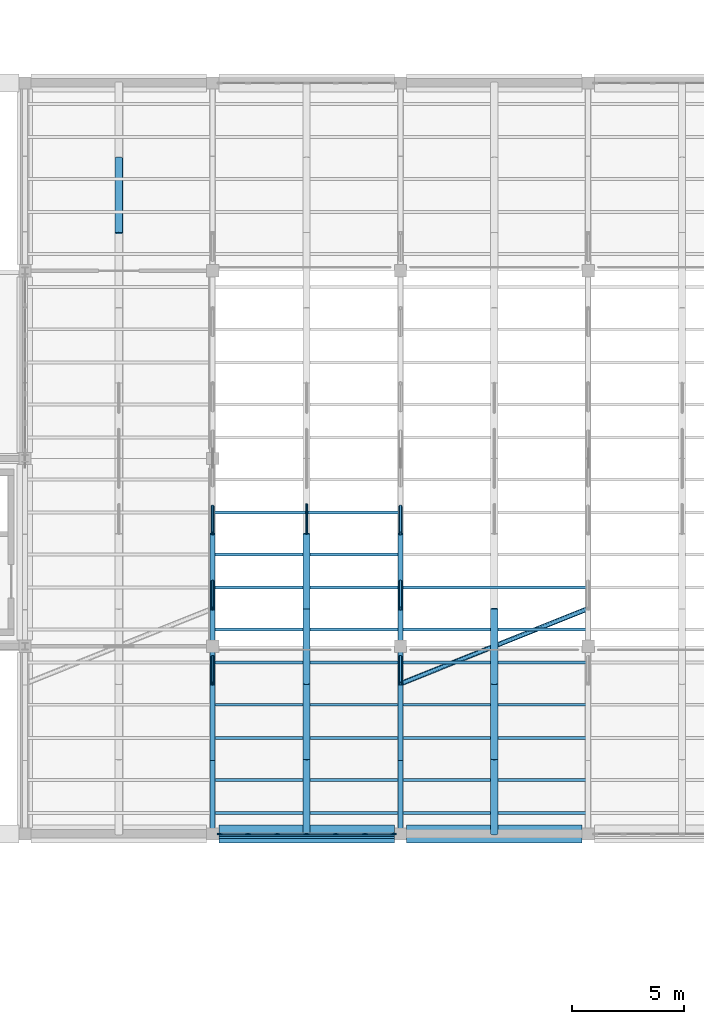
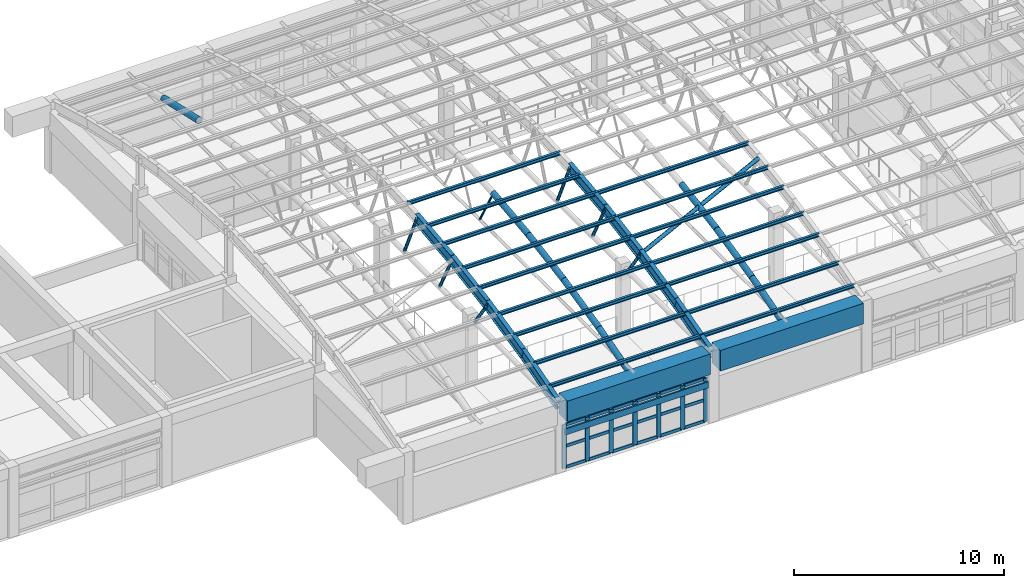
# One storey, part 17 of 74: 58 members, 10 beams, 1 element without a shape of its own.
"""IFC4 building model written with IfcOpenShell, lengths in metres."""

from ifc_helpers import new_model, si_unit, direction, frame, origin, origin_2d, place, context, subcontext, project, spatial, rectangle, hollow_circle, i_section, extrude, material, layer, layer_set, material_profile, profile_set, type_object, element, aggregate, save


model = new_model("IFC4")

# Units and contexts
model_context = context("Model", 3, precision=1e-05, world=origin(), true_north=direction((0.0, 1.0)))
body_context = subcontext(model_context, "Body", "Model", "MODEL_VIEW")
ifc_project = project(units=[si_unit("LENGTHUNIT", "METRE"), si_unit("AREAUNIT", "SQUARE_METRE"), si_unit("VOLUMEUNIT", "CUBIC_METRE"), si_unit("PLANEANGLEUNIT", "RADIAN"), si_unit("MASSUNIT", "GRAM", prefix="KILO")], contexts=[model_context])

# Site, building, storey
site_placement = place(None, origin())
site = spatial("IfcSite", under=ifc_project, at=site_placement, CompositionType="ELEMENT")
building_placement = place(site_placement, origin())
building = spatial("IfcBuilding", under=site, at=building_placement, Name="Porcellanite Civic Hall", CompositionType="ELEMENT")
storey_placement = place(building_placement, frame((0.0, 0.0, 14.760009765625)))
storey = spatial("IfcBuildingStorey", under=building, at=storey_placement, Name="L03", CompositionType="ELEMENT", Elevation=14.760009765625)

# Members
ifc_material_1 = material(Name="Steel C350L0", Category="steel")
ifc_material_profile_1 = material_profile(ifc_material_1, hollow_circle(Radius=0.161865234375, WallThickness=0.010009765625, at=origin_2d()), Name="323.9x10.0CHS")
ifc_profile_set_1 = profile_set([ifc_material_profile_1], Name="Steel C350L0")
member_type_1 = type_object("IfcMemberType", Name="ARCH-324CHS", PredefinedType="RAFTER", material=ifc_profile_set_1)
member_1_placement = place(storey_placement, frame((79.800048828125, 42.0, 3.741455078125), z_axis=(0.0, 0.961252012167, 0.275671124902), x_axis=(-1.0, 0.0, 0.0)))
element("IfcMember", 1, at=member_1_placement, inside=storey, type_object=member_type_1, Name="Chamber secondary arch segment 9 1", PredefinedType="RAFTER", context=body_context, shape_type="SweptSolid", body=[
    extrude(hollow_circle(Radius=0.161865234375, WallThickness=0.010009765625, at=origin_2d()), origin(), (0.0, 0.0, 1.0), 3.49560546875),
])
member_2_placement = place(storey_placement, frame((79.800048828125, 45.360107421875, 4.711669921875), z_axis=(0.0, 0.975143991334, 0.221572101504), x_axis=(-1.0, 0.0, 0.0)))
element("IfcMember", 2, at=member_2_placement, inside=storey, type_object=member_type_1, Name="Chamber secondary arch segment 9 2", PredefinedType="RAFTER", context=body_context, shape_type="SweptSolid", body=[
    extrude(hollow_circle(Radius=0.161865234375, WallThickness=0.010009765625, at=origin_2d()), origin(), (0.0, 0.0, 1.0), 3.445556640625),
])
member_3_placement = place(storey_placement, frame((79.800048828125, 48.719970703125, 5.48095703125), z_axis=(0.0, 0.985994119278, 0.166780084987), x_axis=(-1.0, 0.0, 0.0)))
element("IfcMember", 3, at=member_3_placement, inside=storey, type_object=member_type_1, Name="Chamber secondary arch segment 9 3", PredefinedType="RAFTER", context=body_context, shape_type="SweptSolid", body=[
    extrude(hollow_circle(Radius=0.161865234375, WallThickness=0.010009765625, at=origin_2d()), origin(), (0.0, 0.0, 1.0), 3.407958984375),
])
member_4_placement = place(storey_placement, frame((79.800048828125, 52.080078125, 6.054443359375), z_axis=(0.0, 0.993765164221, 0.111493490304), x_axis=(-1.0, 0.0, 0.0)))
element("IfcMember", 4, at=member_4_placement, inside=storey, type_object=member_type_1, Name="Chamber secondary arch segment 9 4", PredefinedType="RAFTER", context=body_context, shape_type="SweptSolid", body=[
    extrude(hollow_circle(Radius=0.161865234375, WallThickness=0.010009765625, at=origin_2d()), origin(), (0.0, 0.0, 1.0), 3.380859375),
])
member_5_placement = place(storey_placement, frame((88.199951171875, 42.0, 3.741455078125), z_axis=(0.0, 0.961252012167, 0.275671124902), x_axis=(-1.0, 0.0, 0.0)))
element("IfcMember", 5, at=member_5_placement, inside=storey, type_object=member_type_1, Name="Chamber secondary arch segment 10 1", PredefinedType="RAFTER", context=body_context, shape_type="SweptSolid", body=[
    extrude(hollow_circle(Radius=0.161865234375, WallThickness=0.010009765625, at=origin_2d()), origin(), (0.0, 0.0, 1.0), 3.49560546875),
])
member_6_placement = place(storey_placement, frame((88.199951171875, 45.360107421875, 4.711669921875), z_axis=(0.0, 0.975143991334, 0.221572101504), x_axis=(-1.0, 0.0, 0.0)))
element("IfcMember", 6, at=member_6_placement, inside=storey, type_object=member_type_1, Name="Chamber secondary arch segment 10 2", PredefinedType="RAFTER", context=body_context, shape_type="SweptSolid", body=[
    extrude(hollow_circle(Radius=0.161865234375, WallThickness=0.010009765625, at=origin_2d()), origin(), (0.0, 0.0, 1.0), 3.445556640625),
])
member_7_placement = place(storey_placement, frame((88.199951171875, 48.719970703125, 5.48095703125), z_axis=(0.0, 0.985994119278, 0.166780084987), x_axis=(-1.0, 0.0, 0.0)))
element("IfcMember", 7, at=member_7_placement, inside=storey, type_object=member_type_1, Name="Chamber secondary arch segment 10 3", PredefinedType="RAFTER", context=body_context, shape_type="SweptSolid", body=[
    extrude(hollow_circle(Radius=0.161865234375, WallThickness=0.010009765625, at=origin_2d()), origin(), (0.0, 0.0, 1.0), 3.407958984375),
])
ifc_material_2 = material(Name="Steel C350L0", Category="steel")
ifc_material_profile_2 = material_profile(ifc_material_2, hollow_circle(Radius=0.177734375, WallThickness=0.0126953125, at=origin_2d()), Name="355.6x12.7CHS")
ifc_profile_set_2 = profile_set([ifc_material_profile_2], Name="Steel C350L0")
member_type_2 = type_object("IfcMemberType", Name="ARCH-355CHS", PredefinedType="RAFTER", material=ifc_profile_set_2)
member_8_placement = place(storey_placement, frame((71.39990234375, 68.8798828125, 5.459228515625), z_axis=(0.0, 0.975147469677, -0.221556792682), x_axis=(-1.0, 0.0, 0.0)))
element("IfcMember", 8, at=member_8_placement, inside=storey, type_object=member_type_2, Name="Chamber secondary arch segment 8 9", PredefinedType="RAFTER", context=body_context, shape_type="SweptSolid", body=[
    extrude(hollow_circle(Radius=0.177734375, WallThickness=0.0126953125, at=origin_2d()), origin(), (0.0, 0.0, 1.0), 3.44580078125),
])
ifc_material_3 = material(Name="Steel C350L0", Category="steel")
ifc_material_profile_3 = material_profile(ifc_material_3, hollow_circle(Radius=0.05712890625, WallThickness=0.006103515625, at=origin_2d()), Name="114.3x6.0CHS")
ifc_profile_set_3 = profile_set([ifc_material_profile_3], Name="Steel C350L0")
member_type_3 = type_object("IfcMemberType", Name="BRC-114CHS", PredefinedType="BRACE", material=ifc_profile_set_3)
member_9_placement = place(storey_placement, frame((79.800048828125, 56.739990234375, 4.11474609375), z_axis=(0.0, -0.488170615149, 0.872748217131), x_axis=(1.0, 0.0, 0.0)))
element("IfcMember", 9, at=member_9_placement, inside=storey, type_object=member_type_3, Name="Chamber secondary arch web 9-1", PredefinedType="BRACE", context=body_context, shape_type="SweptSolid", body=[
    extrude(hollow_circle(Radius=0.05712890625, WallThickness=0.006103515625, at=origin_2d()), origin(), (0.0, 0.0, 1.0), 2.6630859375),
])
ifc_material_4 = material(Name="Steel C350L0", Category="steel")
ifc_material_profile_4 = material_profile(ifc_material_4, hollow_circle(Radius=0.084228515625, WallThickness=0.007080078125, at=origin_2d()), Name="168.3x7.1CHS")
ifc_profile_set_4 = profile_set([ifc_material_profile_4], Name="Steel C350L0")
member_type_4 = type_object("IfcMemberType", Name="BRC-168CHS", PredefinedType="BRACE", material=ifc_profile_set_4)
member_10_placement = place(storey_placement, frame((75.60009765625, 49.919921875, 3.787841796875), z_axis=(0.0, -0.570645999694, 0.821196165988), x_axis=(1.0, 0.0, 0.0)))
element("IfcMember", 10, at=member_10_placement, inside=storey, type_object=member_type_4, Name="Chamber arch web 9-1", PredefinedType="BRACE", context=body_context, shape_type="SweptSolid", body=[
    extrude(hollow_circle(Radius=0.084228515625, WallThickness=0.007080078125, at=origin_2d()), origin(), (0.0, 0.0, 1.0), 2.102783203125),
])
member_11_placement = place(storey_placement, frame((75.60009765625, 53.280029296875, 3.787841796875), z_axis=(0.0, -0.463316465702, 0.886192898081), x_axis=(1.0, 0.0, 0.0)))
element("IfcMember", 11, at=member_11_placement, inside=storey, type_object=member_type_4, Name="Chamber arch web 9-2", PredefinedType="BRACE", context=body_context, shape_type="SweptSolid", body=[
    extrude(hollow_circle(Radius=0.084228515625, WallThickness=0.007080078125, at=origin_2d()), origin(), (0.0, 0.0, 1.0), 2.58984375),
])
member_12_placement = place(storey_placement, frame((75.60009765625, 56.639892578125, 3.787841796875), z_axis=(0.0, -0.409654104348, 0.912240930232), x_axis=(1.0, 0.0, 0.0)))
element("IfcMember", 12, at=member_12_placement, inside=storey, type_object=member_type_4, Name="Chamber arch web 9-3", PredefinedType="BRACE", context=body_context, shape_type="SweptSolid", body=[
    extrude(hollow_circle(Radius=0.084228515625, WallThickness=0.007080078125, at=origin_2d()), origin(), (0.0, 0.0, 1.0), 2.92919921875),
])
member_13_placement = place(storey_placement, frame((84.0, 49.919921875, 3.787841796875), z_axis=(0.0, -0.570645999694, 0.821196165988), x_axis=(1.0, 0.0, 0.0)))
element("IfcMember", 13, at=member_13_placement, inside=storey, type_object=member_type_4, Name="Chamber arch web 10-1", PredefinedType="BRACE", context=body_context, shape_type="SweptSolid", body=[
    extrude(hollow_circle(Radius=0.084228515625, WallThickness=0.007080078125, at=origin_2d()), origin(), (0.0, 0.0, 1.0), 2.102783203125),
])
member_14_placement = place(storey_placement, frame((84.0, 53.280029296875, 3.787841796875), z_axis=(0.0, -0.463316465702, 0.886192898081), x_axis=(1.0, 0.0, 0.0)))
element("IfcMember", 14, at=member_14_placement, inside=storey, type_object=member_type_4, Name="Chamber arch web 10-2", PredefinedType="BRACE", context=body_context, shape_type="SweptSolid", body=[
    extrude(hollow_circle(Radius=0.084228515625, WallThickness=0.007080078125, at=origin_2d()), origin(), (0.0, 0.0, 1.0), 2.58984375),
])
member_15_placement = place(storey_placement, frame((84.0, 56.639892578125, 3.787841796875), z_axis=(0.0, -0.409654104348, 0.912240930232), x_axis=(1.0, 0.0, 0.0)))
element("IfcMember", 15, at=member_15_placement, inside=storey, type_object=member_type_4, Name="Chamber arch web 10-3", PredefinedType="BRACE", context=body_context, shape_type="SweptSolid", body=[
    extrude(hollow_circle(Radius=0.084228515625, WallThickness=0.007080078125, at=origin_2d()), origin(), (0.0, 0.0, 1.0), 2.92919921875),
])
ifc_material_5 = material(Name="Steel C350L0", Category="steel")
ifc_material_profile_5 = material_profile(ifc_material_5, hollow_circle(Radius=0.109619140625, WallThickness=0.00830078125, at=origin_2d()), Name="219.1x8.2CHS")
ifc_profile_set_5 = profile_set([ifc_material_profile_5], Name="Steel C350L0")
member_type_5 = type_object("IfcMemberType", Name="BRC-219CHS", PredefinedType="BRACE", material=ifc_profile_set_5)
member_16_placement = place(storey_placement, frame((84.007080078125, 48.719970703125, 5.5146484375), z_axis=(0.926426885078, 0.371201875436, 0.062788488412), x_axis=(-0.371935758166, 0.928258472516, 0.0)))
element("IfcMember", 16, at=member_16_placement, inside=storey, type_object=member_type_5, Name="Chamber shell wind brace 10", PredefinedType="BRACE", context=body_context, shape_type="SweptSolid", body=[
    extrude(hollow_circle(Radius=0.109619140625, WallThickness=0.00830078125, at=origin_2d()), origin(), (0.0, 0.0, 1.0), 9.052001953125),
])

# Curtain wall, members
ifc_material_6 = material(Name="Anodised aluminium and solar laminated glass", Category="aluminium")
ifc_layer = layer(ifc_material_6, 0.179931640625)
ifc_layer_set = layer_set([ifc_layer], Name="Anodised aluminium and solar laminated glass")
curtain_wall_type = type_object("IfcCurtainWallType", Name="CW-SYS01", PredefinedType="NOTDEFINED", material=ifc_layer_set)
curtain_wall_placement = place(storey_placement, origin())
curtain_wall = element("IfcCurtainWall", 17, at=curtain_wall_placement, inside=storey, type_object=curtain_wall_type, Name="Curtain wall CW-207", PredefinedType="NOTDEFINED")
ifc_material_7 = material(Name="Anodised aluminium 6063-T6", Category="aluminium")
ifc_material_profile_6 = material_profile(ifc_material_7, rectangle(XDim=0.080078125, YDim=0.239990234375, at=origin_2d()), Name="AL-80x240")
ifc_profile_set_6 = profile_set([ifc_material_profile_6], Name="Anodised aluminium 6063-T6")
member_type_6 = type_object("IfcMemberType", Name="CWM-01", PredefinedType="MULLION", material=ifc_profile_set_6)
member_17_placement = place(storey_placement, frame((83.68408203125, 42.0, 0.0), z_axis=(0.0, 0.0, 1.0), x_axis=(0.0, -1.0, 0.0)))
member_17 = element("IfcMember", 18, at=member_17_placement, type_object=member_type_6, Name="CW-207 mullion 1", PredefinedType="MULLION", context=body_context, shape_type="SweptSolid", body=[
    extrude(rectangle(XDim=0.080078125, YDim=0.239990234375, at=origin_2d()), origin(), (0.0, 0.0, 1.0), 2.52001953125),
])
member_18_placement = place(storey_placement, frame((82.416015625, 42.0, 0.0), z_axis=(0.0, 0.0, 1.0), x_axis=(0.0, -1.0, 0.0)))
member_18 = element("IfcMember", 19, at=member_18_placement, type_object=member_type_6, Name="CW-207 mullion 2", PredefinedType="MULLION", context=body_context, shape_type="SweptSolid", body=[
    extrude(rectangle(XDim=0.080078125, YDim=0.239990234375, at=origin_2d()), origin(), (0.0, 0.0, 1.0), 2.52001953125),
])
member_19_placement = place(storey_placement, frame((81.10791015625, 42.0, 0.0), z_axis=(0.0, 0.0, 1.0), x_axis=(0.0, -1.0, 0.0)))
member_19 = element("IfcMember", 20, at=member_19_placement, type_object=member_type_6, Name="CW-207 mullion 3", PredefinedType="MULLION", context=body_context, shape_type="SweptSolid", body=[
    extrude(rectangle(XDim=0.080078125, YDim=0.239990234375, at=origin_2d()), origin(), (0.0, 0.0, 1.0), 2.52001953125),
])
member_20_placement = place(storey_placement, frame((79.800048828125, 42.0, 0.0), z_axis=(0.0, 0.0, 1.0), x_axis=(0.0, -1.0, 0.0)))
member_20 = element("IfcMember", 21, at=member_20_placement, type_object=member_type_6, Name="CW-207 mullion 4", PredefinedType="MULLION", context=body_context, shape_type="SweptSolid", body=[
    extrude(rectangle(XDim=0.080078125, YDim=0.239990234375, at=origin_2d()), origin(), (0.0, 0.0, 1.0), 2.52001953125),
])
member_21_placement = place(storey_placement, frame((78.491943359375, 42.0, 0.0), z_axis=(0.0, 0.0, 1.0), x_axis=(0.0, -1.0, 0.0)))
member_21 = element("IfcMember", 22, at=member_21_placement, type_object=member_type_6, Name="CW-207 mullion 5", PredefinedType="MULLION", context=body_context, shape_type="SweptSolid", body=[
    extrude(rectangle(XDim=0.080078125, YDim=0.239990234375, at=origin_2d()), origin(), (0.0, 0.0, 1.0), 2.52001953125),
])
member_22_placement = place(storey_placement, frame((77.18408203125, 42.0, 0.0), z_axis=(0.0, 0.0, 1.0), x_axis=(0.0, -1.0, 0.0)))
member_22 = element("IfcMember", 23, at=member_22_placement, type_object=member_type_6, Name="CW-207 mullion 6", PredefinedType="MULLION", context=body_context, shape_type="SweptSolid", body=[
    extrude(rectangle(XDim=0.080078125, YDim=0.239990234375, at=origin_2d()), origin(), (0.0, 0.0, 1.0), 2.52001953125),
])
member_23_placement = place(storey_placement, frame((75.916015625, 42.0, 0.0), z_axis=(0.0, 0.0, 1.0), x_axis=(0.0, -1.0, 0.0)))
member_23 = element("IfcMember", 24, at=member_23_placement, type_object=member_type_6, Name="CW-207 mullion 7", PredefinedType="MULLION", context=body_context, shape_type="SweptSolid", body=[
    extrude(rectangle(XDim=0.080078125, YDim=0.239990234375, at=origin_2d()), origin(), (0.0, 0.0, 1.0), 2.52001953125),
])
ifc_material_8 = material(Name="Anodised aluminium 6063-T6", Category="aluminium")
ifc_material_profile_7 = material_profile(ifc_material_8, rectangle(XDim=0.070068359375, YDim=0.175048828125, at=origin_2d()), Name="AL-70x175")
ifc_profile_set_7 = profile_set([ifc_material_profile_7], Name="Anodised aluminium 6063-T6")
member_type_7 = type_object("IfcMemberType", Name="CWT-01", PredefinedType="USERDEFINED", material=ifc_profile_set_7)
member_24_placement = place(storey_placement, frame((83.64404296875, 42.0, 0.034912109375), z_axis=(-1.0, 0.0, 0.0), x_axis=(0.0, -1.0, 0.0)))
member_24 = element("IfcMember", 25, at=member_24_placement, type_object=member_type_7, Name="CW-207 transom 1.1", ObjectType="TRANSOM", PredefinedType="USERDEFINED", context=body_context, shape_type="SweptSolid", body=[
    extrude(rectangle(XDim=0.070068359375, YDim=0.175048828125, at=origin_2d()), origin(), (0.0, 0.0, 1.0), 1.18798828125),
])
member_25_placement = place(storey_placement, frame((83.64404296875, 42.0, 1.260009765625), z_axis=(-1.0, 0.0, 0.0), x_axis=(0.0, -1.0, 0.0)))
member_25 = element("IfcMember", 26, at=member_25_placement, type_object=member_type_7, Name="CW-207 transom 1.2", ObjectType="TRANSOM", PredefinedType="USERDEFINED", context=body_context, shape_type="SweptSolid", body=[
    extrude(rectangle(XDim=0.070068359375, YDim=0.175048828125, at=origin_2d()), origin(), (0.0, 0.0, 1.0), 1.18798828125),
])
member_26_placement = place(storey_placement, frame((83.64404296875, 42.0, 2.485107421875), z_axis=(-1.0, 0.0, 0.0), x_axis=(0.0, -1.0, 0.0)))
member_26 = element("IfcMember", 27, at=member_26_placement, type_object=member_type_7, Name="CW-207 transom 1.3", ObjectType="TRANSOM", PredefinedType="USERDEFINED", context=body_context, shape_type="SweptSolid", body=[
    extrude(rectangle(XDim=0.070068359375, YDim=0.175048828125, at=origin_2d()), origin(), (0.0, 0.0, 1.0), 1.18798828125),
])
member_27_placement = place(storey_placement, frame((82.3759765625, 42.0, 0.034912109375), z_axis=(-1.0, 0.0, 0.0), x_axis=(0.0, -1.0, 0.0)))
member_27 = element("IfcMember", 28, at=member_27_placement, type_object=member_type_7, Name="CW-207 transom 2.1", ObjectType="TRANSOM", PredefinedType="USERDEFINED", context=body_context, shape_type="SweptSolid", body=[
    extrude(rectangle(XDim=0.070068359375, YDim=0.175048828125, at=origin_2d()), origin(), (0.0, 0.0, 1.0), 1.22802734375),
])
member_28_placement = place(storey_placement, frame((82.3759765625, 42.0, 1.260009765625), z_axis=(-1.0, 0.0, 0.0), x_axis=(0.0, -1.0, 0.0)))
member_28 = element("IfcMember", 29, at=member_28_placement, type_object=member_type_7, Name="CW-207 transom 2.2", ObjectType="TRANSOM", PredefinedType="USERDEFINED", context=body_context, shape_type="SweptSolid", body=[
    extrude(rectangle(XDim=0.070068359375, YDim=0.175048828125, at=origin_2d()), origin(), (0.0, 0.0, 1.0), 1.22802734375),
])
member_29_placement = place(storey_placement, frame((82.3759765625, 42.0, 2.485107421875), z_axis=(-1.0, 0.0, 0.0), x_axis=(0.0, -1.0, 0.0)))
member_29 = element("IfcMember", 30, at=member_29_placement, type_object=member_type_7, Name="CW-207 transom 2.3", ObjectType="TRANSOM", PredefinedType="USERDEFINED", context=body_context, shape_type="SweptSolid", body=[
    extrude(rectangle(XDim=0.070068359375, YDim=0.175048828125, at=origin_2d()), origin(), (0.0, 0.0, 1.0), 1.22802734375),
])
member_30_placement = place(storey_placement, frame((81.068115234375, 42.0, 0.034912109375), z_axis=(-1.0, 0.0, 0.0), x_axis=(0.0, -1.0, 0.0)))
member_30 = element("IfcMember", 31, at=member_30_placement, type_object=member_type_7, Name="CW-207 transom 3.1", ObjectType="TRANSOM", PredefinedType="USERDEFINED", context=body_context, shape_type="SweptSolid", body=[
    extrude(rectangle(XDim=0.070068359375, YDim=0.175048828125, at=origin_2d()), origin(), (0.0, 0.0, 1.0), 1.22802734375),
])
member_31_placement = place(storey_placement, frame((81.068115234375, 42.0, 1.260009765625), z_axis=(-1.0, 0.0, 0.0), x_axis=(0.0, -1.0, 0.0)))
member_31 = element("IfcMember", 32, at=member_31_placement, type_object=member_type_7, Name="CW-207 transom 3.2", ObjectType="TRANSOM", PredefinedType="USERDEFINED", context=body_context, shape_type="SweptSolid", body=[
    extrude(rectangle(XDim=0.070068359375, YDim=0.175048828125, at=origin_2d()), origin(), (0.0, 0.0, 1.0), 1.22802734375),
])
member_32_placement = place(storey_placement, frame((81.068115234375, 42.0, 2.485107421875), z_axis=(-1.0, 0.0, 0.0), x_axis=(0.0, -1.0, 0.0)))
member_32 = element("IfcMember", 33, at=member_32_placement, type_object=member_type_7, Name="CW-207 transom 3.3", ObjectType="TRANSOM", PredefinedType="USERDEFINED", context=body_context, shape_type="SweptSolid", body=[
    extrude(rectangle(XDim=0.070068359375, YDim=0.175048828125, at=origin_2d()), origin(), (0.0, 0.0, 1.0), 1.22802734375),
])
member_33_placement = place(storey_placement, frame((79.760009765625, 42.0, 0.034912109375), z_axis=(-1.0, 0.0, 0.0), x_axis=(0.0, -1.0, 0.0)))
member_33 = element("IfcMember", 34, at=member_33_placement, type_object=member_type_7, Name="CW-207 transom 4.1", ObjectType="TRANSOM", PredefinedType="USERDEFINED", context=body_context, shape_type="SweptSolid", body=[
    extrude(rectangle(XDim=0.070068359375, YDim=0.175048828125, at=origin_2d()), origin(), (0.0, 0.0, 1.0), 1.22802734375),
])
member_34_placement = place(storey_placement, frame((79.760009765625, 42.0, 1.260009765625), z_axis=(-1.0, 0.0, 0.0), x_axis=(0.0, -1.0, 0.0)))
member_34 = element("IfcMember", 35, at=member_34_placement, type_object=member_type_7, Name="CW-207 transom 4.2", ObjectType="TRANSOM", PredefinedType="USERDEFINED", context=body_context, shape_type="SweptSolid", body=[
    extrude(rectangle(XDim=0.070068359375, YDim=0.175048828125, at=origin_2d()), origin(), (0.0, 0.0, 1.0), 1.22802734375),
])
member_35_placement = place(storey_placement, frame((79.760009765625, 42.0, 2.485107421875), z_axis=(-1.0, 0.0, 0.0), x_axis=(0.0, -1.0, 0.0)))
member_35 = element("IfcMember", 36, at=member_35_placement, type_object=member_type_7, Name="CW-207 transom 4.3", ObjectType="TRANSOM", PredefinedType="USERDEFINED", context=body_context, shape_type="SweptSolid", body=[
    extrude(rectangle(XDim=0.070068359375, YDim=0.175048828125, at=origin_2d()), origin(), (0.0, 0.0, 1.0), 1.22802734375),
])
member_36_placement = place(storey_placement, frame((78.451904296875, 42.0, 0.034912109375), z_axis=(-1.0, 0.0, 0.0), x_axis=(0.0, -1.0, 0.0)))
member_36 = element("IfcMember", 37, at=member_36_placement, type_object=member_type_7, Name="CW-207 transom 5.1", ObjectType="TRANSOM", PredefinedType="USERDEFINED", context=body_context, shape_type="SweptSolid", body=[
    extrude(rectangle(XDim=0.070068359375, YDim=0.175048828125, at=origin_2d()), origin(), (0.0, 0.0, 1.0), 1.227783203125),
])
member_37_placement = place(storey_placement, frame((78.451904296875, 42.0, 1.260009765625), z_axis=(-1.0, 0.0, 0.0), x_axis=(0.0, -1.0, 0.0)))
member_37 = element("IfcMember", 38, at=member_37_placement, type_object=member_type_7, Name="CW-207 transom 5.2", ObjectType="TRANSOM", PredefinedType="USERDEFINED", context=body_context, shape_type="SweptSolid", body=[
    extrude(rectangle(XDim=0.070068359375, YDim=0.175048828125, at=origin_2d()), origin(), (0.0, 0.0, 1.0), 1.227783203125),
])
member_38_placement = place(storey_placement, frame((78.451904296875, 42.0, 2.485107421875), z_axis=(-1.0, 0.0, 0.0), x_axis=(0.0, -1.0, 0.0)))
member_38 = element("IfcMember", 39, at=member_38_placement, type_object=member_type_7, Name="CW-207 transom 5.3", ObjectType="TRANSOM", PredefinedType="USERDEFINED", context=body_context, shape_type="SweptSolid", body=[
    extrude(rectangle(XDim=0.070068359375, YDim=0.175048828125, at=origin_2d()), origin(), (0.0, 0.0, 1.0), 1.227783203125),
])
member_39_placement = place(storey_placement, frame((77.14404296875, 42.0, 0.034912109375), z_axis=(-1.0, 0.0, 0.0), x_axis=(0.0, -1.0, 0.0)))
member_39 = element("IfcMember", 40, at=member_39_placement, type_object=member_type_7, Name="CW-207 transom 6.1", ObjectType="TRANSOM", PredefinedType="USERDEFINED", context=body_context, shape_type="SweptSolid", body=[
    extrude(rectangle(XDim=0.070068359375, YDim=0.175048828125, at=origin_2d()), origin(), (0.0, 0.0, 1.0), 1.18798828125),
])
member_40_placement = place(storey_placement, frame((77.14404296875, 42.0, 1.260009765625), z_axis=(-1.0, 0.0, 0.0), x_axis=(0.0, -1.0, 0.0)))
member_40 = element("IfcMember", 41, at=member_40_placement, type_object=member_type_7, Name="CW-207 transom 6.2", ObjectType="TRANSOM", PredefinedType="USERDEFINED", context=body_context, shape_type="SweptSolid", body=[
    extrude(rectangle(XDim=0.070068359375, YDim=0.175048828125, at=origin_2d()), origin(), (0.0, 0.0, 1.0), 1.18798828125),
])
member_41_placement = place(storey_placement, frame((77.14404296875, 42.0, 2.485107421875), z_axis=(-1.0, 0.0, 0.0), x_axis=(0.0, -1.0, 0.0)))
member_41 = element("IfcMember", 42, at=member_41_placement, type_object=member_type_7, Name="CW-207 transom 6.3", ObjectType="TRANSOM", PredefinedType="USERDEFINED", context=body_context, shape_type="SweptSolid", body=[
    extrude(rectangle(XDim=0.070068359375, YDim=0.175048828125, at=origin_2d()), origin(), (0.0, 0.0, 1.0), 1.18798828125),
])
aggregate(curtain_wall, [member_17, member_18, member_19, member_20, member_21, member_22, member_23, member_24, member_25, member_26, member_27, member_28, member_29, member_30, member_31, member_32, member_33, member_34, member_35, member_36, member_37, member_38, member_39, member_40, member_41])

# Beams
ifc_material_9 = material(Name="Concrete N50 (50 MPa)", Category="concrete")
ifc_material_profile_8 = material_profile(ifc_material_9, rectangle(XDim=0.800048828125, YDim=1.199951171875, at=origin_2d()), Name="RC-800x1200")
ifc_profile_set_8 = profile_set([ifc_material_profile_8], Name="Concrete N50 (50 MPa)")
beam_type_1 = type_object("IfcBeamType", Name="EB-CH1", PredefinedType="SPANDREL", material=ifc_profile_set_8)
for number, where, z_axis, x_axis, name in (
    (43, (75.87451171875, 42.0, 3.524658203125), (1.0, 0.0, 0.0), (0.0, 1.0, 0.0), "Chamber visible shell edge beam S 9"),
    (44, (84.2744140625, 42.0, 3.524658203125), (1.0, 0.0, 0.0), (0.0, 1.0, 0.0), "Chamber visible shell edge beam S 10"),
):
    element("IfcBeam", number, at=place(storey_placement, frame(where, z_axis=z_axis, x_axis=x_axis)), inside=storey, type_object=beam_type_1, Name=name, PredefinedType="SPANDREL", context=body_context, shape_type="SweptSolid", body=[
        extrude(rectangle(XDim=0.800048828125, YDim=1.199951171875, at=origin_2d()), origin(), (0.0, 0.0, 1.0), 7.85107421875),
    ])

# Members
ifc_material_10 = material(Name="Fluoropolymer bauxite-red aluminium 6063-T6", Category="aluminium")
ifc_material_profile_9 = material_profile(ifc_material_10, rectangle(XDim=0.090087890625, YDim=0.360107421875, at=origin_2d()), Name="AL-90x360")
ifc_profile_set_9 = profile_set([ifc_material_profile_9], Name="Fluoropolymer bauxite-red aluminium 6063-T6")
member_type_8 = type_object("IfcMemberType", Name="LV-BLD01", PredefinedType="USERDEFINED", material=ifc_profile_set_9)
member_42_placement = place(storey_placement, frame((83.7255859375, 41.8330078125, 2.219970703125), z_axis=(-1.0, 0.0, 0.0), x_axis=(0.0, -1.0, 0.0)))
element("IfcMember", 45, at=member_42_placement, inside=storey, type_object=member_type_8, Name="Cyclone sunshade louvre L03 S 9-5 1", ObjectType="LOUVRE BLADE", PredefinedType="USERDEFINED", context=body_context, shape_type="SweptSolid", body=[
    extrude(rectangle(XDim=0.090087890625, YDim=0.360107421875, at=origin_2d()), origin(), (0.0, 0.0, 1.0), 7.85107421875),
])
ifc_material_11 = material(Name="Steel Grade 350", Category="steel")
ifc_material_profile_10 = material_profile(ifc_material_11, i_section(OverallWidth=0.133056640625, OverallDepth=0.202880859375, WebThickness=0.005859375, FlangeThickness=0.0078125, FilletRadius=0.0087890625, at=origin_2d()), Name="200UB25.4")
ifc_profile_set_10 = profile_set([ifc_material_profile_10], Name="Steel Grade 350")
member_type_9 = type_object("IfcMemberType", Name="PUR-200UB25", PredefinedType="PURLIN", material=ifc_profile_set_10)
for number, where, z_axis, x_axis, name in (
    (46, (75.6064453125, 42.94091796875, 4.273681640625), (1.0, 0.0, 0.0), (0.0, 1.0, 0.0), "Chamber shell purlin 9 1A"),
    (47, (75.6064453125, 44.419189453125, 4.69775390625), (1.0, 0.0, 0.0), (0.0, 1.0, 0.0), "Chamber shell purlin 9 1B"),
    (48, (75.6064453125, 46.30078125, 5.18798828125), (1.0, 0.0, 0.0), (0.0, 1.0, 0.0), "Chamber shell purlin 9 2A"),
    (49, (75.6064453125, 47.779296875, 5.523681640625), (1.0, 0.0, 0.0), (0.0, 1.0, 0.0), "Chamber shell purlin 9 2B"),
    (50, (75.6064453125, 49.660888671875, 5.902587890625), (1.0, 0.0, 0.0), (0.0, 1.0, 0.0), "Chamber shell purlin 9 3A"),
    (51, (75.6064453125, 51.13916015625, 6.152587890625), (1.0, 0.0, 0.0), (0.0, 1.0, 0.0), "Chamber shell purlin 9 3B"),
    (52, (75.6064453125, 53.020751953125, 6.422607421875), (1.0, 0.0, 0.0), (0.0, 1.0, 0.0), "Chamber shell purlin 9 4A"),
    (53, (75.6064453125, 54.499267578125, 6.58837890625), (1.0, 0.0, 0.0), (0.0, 1.0, 0.0), "Chamber shell purlin 9 4B"),
    (54, (75.6064453125, 56.380859375, 6.7509765625), (1.0, 0.0, 0.0), (0.0, 1.0, 0.0), "Chamber shell purlin 9 5A"),
    (55, (84.006591796875, 42.94091796875, 4.273681640625), (1.0, 0.0, 0.0), (0.0, 1.0, 0.0), "Chamber shell purlin 10 1A"),
    (56, (84.006591796875, 44.419189453125, 4.69775390625), (1.0, 0.0, 0.0), (0.0, 1.0, 0.0), "Chamber shell purlin 10 1B"),
    (57, (84.006591796875, 46.30078125, 5.18798828125), (1.0, 0.0, 0.0), (0.0, 1.0, 0.0), "Chamber shell purlin 10 2A"),
    (58, (84.006591796875, 47.779296875, 5.523681640625), (1.0, 0.0, 0.0), (0.0, 1.0, 0.0), "Chamber shell purlin 10 2B"),
    (59, (84.006591796875, 49.660888671875, 5.902587890625), (1.0, 0.0, 0.0), (0.0, 1.0, 0.0), "Chamber shell purlin 10 3A"),
    (60, (84.006591796875, 51.13916015625, 6.152587890625), (1.0, 0.0, 0.0), (0.0, 1.0, 0.0), "Chamber shell purlin 10 3B"),
    (61, (84.006591796875, 53.020751953125, 6.422607421875), (1.0, 0.0, 0.0), (0.0, 1.0, 0.0), "Chamber shell purlin 10 4A"),
):
    element("IfcMember", number, at=place(storey_placement, frame(where, z_axis=z_axis, x_axis=x_axis)), inside=storey, type_object=member_type_9, Name=name, PredefinedType="PURLIN", context=body_context, shape_type="SweptSolid", body=[
        extrude(i_section(OverallWidth=0.133056640625, OverallDepth=0.202880859375, WebThickness=0.005859375, FlangeThickness=0.0078125, FilletRadius=0.0087890625, at=origin_2d()), origin(), (0.0, 0.0, 1.0), 8.386962890625),
    ])

# Beams
ifc_material_12 = material(Name="Steel Grade 350", Category="steel")
ifc_material_profile_11 = material_profile(ifc_material_12, i_section(OverallWidth=0.22900390625, OverallDepth=0.612060546875, WebThickness=0.011962890625, FlangeThickness=0.01953125, FilletRadius=0.013916015625, at=origin_2d()), Name="610UB125")
ifc_profile_set_11 = profile_set([ifc_material_profile_11], Name="Steel Grade 350")
beam_type_2 = type_object("IfcBeamType", Name="RIB-610UB125", PredefinedType="BEAM", material=ifc_profile_set_11)
beam_1_placement = place(storey_placement, frame((75.60009765625, 42.0, 3.787841796875), z_axis=(0.0, 0.961252012167, 0.275671124902), x_axis=(-1.0, 0.0, 0.0)))
element("IfcBeam", 62, at=beam_1_placement, inside=storey, type_object=beam_type_2, Name="Chamber steel arch rib 9 seg 1", PredefinedType="BEAM", context=body_context, shape_type="SweptSolid", body=[
    extrude(i_section(OverallWidth=0.22900390625, OverallDepth=0.612060546875, WebThickness=0.011962890625, FlangeThickness=0.01953125, FilletRadius=0.013916015625, at=origin_2d()), origin(), (0.0, 0.0, 1.0), 3.49560546875),
])
beam_2_placement = place(storey_placement, frame((75.60009765625, 45.360107421875, 4.75146484375), z_axis=(0.0, 0.9751592991, 0.221504720897), x_axis=(-1.0, 0.0, 0.0)))
element("IfcBeam", 63, at=beam_2_placement, inside=storey, type_object=beam_type_2, Name="Chamber steel arch rib 9 seg 2", PredefinedType="BEAM", context=body_context, shape_type="SweptSolid", body=[
    extrude(i_section(OverallWidth=0.22900390625, OverallDepth=0.612060546875, WebThickness=0.011962890625, FlangeThickness=0.01953125, FilletRadius=0.013916015625, at=origin_2d()), origin(), (0.0, 0.0, 1.0), 3.445556640625),
])
beam_3_placement = place(storey_placement, frame((75.60009765625, 48.719970703125, 5.5146484375), z_axis=(0.0, 0.985994119278, 0.166780084987), x_axis=(-1.0, 0.0, 0.0)))
element("IfcBeam", 64, at=beam_3_placement, inside=storey, type_object=beam_type_2, Name="Chamber steel arch rib 9 seg 3", PredefinedType="BEAM", context=body_context, shape_type="SweptSolid", body=[
    extrude(i_section(OverallWidth=0.22900390625, OverallDepth=0.612060546875, WebThickness=0.011962890625, FlangeThickness=0.01953125, FilletRadius=0.013916015625, at=origin_2d()), origin(), (0.0, 0.0, 1.0), 3.407958984375),
])
beam_4_placement = place(storey_placement, frame((75.60009765625, 52.080078125, 6.0830078125), z_axis=(0.0, 0.993765164221, 0.111493490304), x_axis=(-1.0, 0.0, 0.0)))
element("IfcBeam", 65, at=beam_4_placement, inside=storey, type_object=beam_type_2, Name="Chamber steel arch rib 9 seg 4", PredefinedType="BEAM", context=body_context, shape_type="SweptSolid", body=[
    extrude(i_section(OverallWidth=0.22900390625, OverallDepth=0.612060546875, WebThickness=0.011962890625, FlangeThickness=0.01953125, FilletRadius=0.013916015625, at=origin_2d()), origin(), (0.0, 0.0, 1.0), 3.380859375),
])
beam_5_placement = place(storey_placement, frame((84.0, 42.0, 3.787841796875), z_axis=(0.0, 0.961252012167, 0.275671124902), x_axis=(-1.0, 0.0, 0.0)))
element("IfcBeam", 66, at=beam_5_placement, inside=storey, type_object=beam_type_2, Name="Chamber steel arch rib 10 seg 1", PredefinedType="BEAM", context=body_context, shape_type="SweptSolid", body=[
    extrude(i_section(OverallWidth=0.22900390625, OverallDepth=0.612060546875, WebThickness=0.011962890625, FlangeThickness=0.01953125, FilletRadius=0.013916015625, at=origin_2d()), origin(), (0.0, 0.0, 1.0), 3.49560546875),
])
beam_6_placement = place(storey_placement, frame((84.0, 45.360107421875, 4.75146484375), z_axis=(0.0, 0.9751592991, 0.221504720897), x_axis=(-1.0, 0.0, 0.0)))
element("IfcBeam", 67, at=beam_6_placement, inside=storey, type_object=beam_type_2, Name="Chamber steel arch rib 10 seg 2", PredefinedType="BEAM", context=body_context, shape_type="SweptSolid", body=[
    extrude(i_section(OverallWidth=0.22900390625, OverallDepth=0.612060546875, WebThickness=0.011962890625, FlangeThickness=0.01953125, FilletRadius=0.013916015625, at=origin_2d()), origin(), (0.0, 0.0, 1.0), 3.445556640625),
])
beam_7_placement = place(storey_placement, frame((84.0, 48.719970703125, 5.5146484375), z_axis=(0.0, 0.985994119278, 0.166780084987), x_axis=(-1.0, 0.0, 0.0)))
element("IfcBeam", 68, at=beam_7_placement, inside=storey, type_object=beam_type_2, Name="Chamber steel arch rib 10 seg 3", PredefinedType="BEAM", context=body_context, shape_type="SweptSolid", body=[
    extrude(i_section(OverallWidth=0.22900390625, OverallDepth=0.612060546875, WebThickness=0.011962890625, FlangeThickness=0.01953125, FilletRadius=0.013916015625, at=origin_2d()), origin(), (0.0, 0.0, 1.0), 3.407958984375),
])
beam_8_placement = place(storey_placement, frame((84.0, 52.080078125, 6.0830078125), z_axis=(0.0, 0.993765164221, 0.111493490304), x_axis=(-1.0, 0.0, 0.0)))
element("IfcBeam", 69, at=beam_8_placement, inside=storey, type_object=beam_type_2, Name="Chamber steel arch rib 10 seg 4", PredefinedType="BEAM", context=body_context, shape_type="SweptSolid", body=[
    extrude(i_section(OverallWidth=0.22900390625, OverallDepth=0.612060546875, WebThickness=0.011962890625, FlangeThickness=0.01953125, FilletRadius=0.013916015625, at=origin_2d()), origin(), (0.0, 0.0, 1.0), 3.380859375),
])

save(model, "model.ifc")
